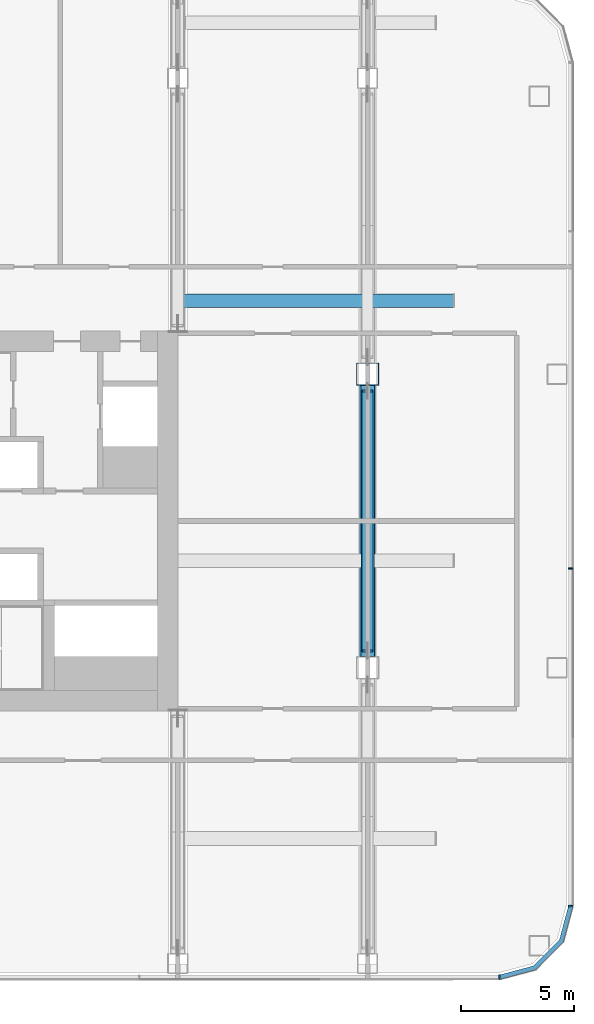
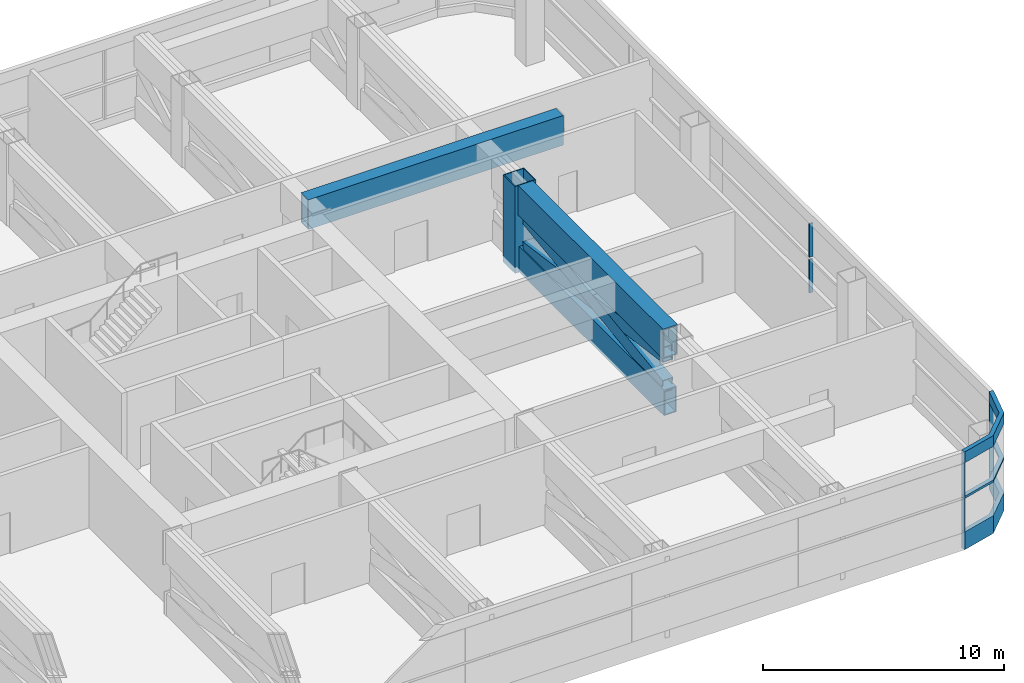
# One storey, part 11 of 30: 14 members, 1 beam, 3 elements without a shape of their own.
"""IFC4 building model written with IfcOpenShell, lengths in metres."""

from ifc_helpers import new_model, si_unit, direction, frame, origin, origin_2d, place, context, subcontext, project, spatial, polyline, rectangle, hollow_rectangle, outline, extrude, material, layer, layer_set, material_profile, profile_set, type_object, element, aggregate, save


model = new_model("IFC4")

# Units and contexts
model_context = context("Model", 3, precision=1e-05, world=origin(), true_north=direction((0.0, 1.0)))
body_context = subcontext(model_context, "Body", "Model", "MODEL_VIEW")
ifc_project = project(units=[si_unit("LENGTHUNIT", "METRE"), si_unit("AREAUNIT", "SQUARE_METRE"), si_unit("VOLUMEUNIT", "CUBIC_METRE"), si_unit("PLANEANGLEUNIT", "RADIAN"), si_unit("MASSUNIT", "GRAM", prefix="KILO")], contexts=[model_context])

# Site, building, storey
site_placement = place(None, origin())
site = spatial("IfcSite", under=ifc_project, at=site_placement, CompositionType="ELEMENT")
building_placement = place(site_placement, origin())
building = spatial("IfcBuilding", under=site, at=building_placement, Name="Hakoniwa Tower and Hamabe Station Hall", CompositionType="ELEMENT")
storey_placement = place(building_placement, frame((0.0, 0.0, 64.60009765625)))
storey = spatial("IfcBuildingStorey", under=building, at=storey_placement, Name="L18", CompositionType="ELEMENT", Elevation=64.60009765625)

# Curtain wall, members
ifc_material_1 = material(Name="Dark low-e laminated glass", Category="glass")
ifc_layer = layer(ifc_material_1, 0.199951171875)
ifc_layer_set = layer_set([ifc_layer], Name="CW-6 PLANT LOUVRE")
curtain_wall_type = type_object("IfcCurtainWallType", Name="CW-6 PLANT LOUVRE", PredefinedType="NOTDEFINED", material=ifc_layer_set)
curtain_wall_1_placement = place(storey_placement, origin())
curtain_wall_1 = element("IfcCurtainWall", 1, at=curtain_wall_1_placement, inside=storey, type_object=curtain_wall_type, Name="CW-6 curtain wall", PredefinedType="NOTDEFINED")
ifc_material_2 = material(Name="Aluminium 6063-T5 black anodised", Category="aluminium")
ifc_material_profile_1 = material_profile(ifc_material_2, rectangle(XDim=0.199951171875, YDim=0.550048828125, at=origin_2d()), Name="CW HEAD BAND 550X200")
ifc_profile_set_1 = profile_set([ifc_material_profile_1], Name="Aluminium 6063-T5 black anodised")
member_type_1 = type_object("IfcMemberType", Name="CW HEAD BAND 550X200", PredefinedType="USERDEFINED", material=ifc_profile_set_1)
member_1_placement = place(storey_placement, frame((0.0, 0.0, 3.849853515625)))
member_1 = element("IfcMember", 2, at=member_1_placement, type_object=member_type_1, Name="CW-6 transom", ObjectType="TRANSOM", PredefinedType="USERDEFINED", context=body_context, shape_type="SweptSolid", body=[
    extrude(outline(polyline([(47.839599609375, -20.300048828125), (49.455322265625, -19.866943359375), (50.6669921875, -18.6552734375), (51.10009765625, -17.03955078125), (50.90673828125, -16.98779296875), (50.48779296875, -18.5517578125), (49.351806640625, -19.687744140625), (47.787841796875, -20.10693359375), (47.839599609375, -20.300048828125)])), origin(), (0.0, 0.0, 1.0), 0.550048828125),
])
ifc_material_3 = material(Name="Aluminium 6063-T5 black anodised", Category="aluminium")
ifc_material_profile_2 = material_profile(ifc_material_3, rectangle(XDim=0.199951171875, YDim=0.1201171875, at=origin_2d()), Name="CW MID TRANSOM 120X200")
ifc_profile_set_2 = profile_set([ifc_material_profile_2], Name="Aluminium 6063-T5 black anodised")
member_type_2 = type_object("IfcMemberType", Name="CW MID TRANSOM 120X200", PredefinedType="USERDEFINED", material=ifc_profile_set_2)
member_2_placement = place(storey_placement, frame((0.0, 0.0, 2.039794921875)))
member_2 = element("IfcMember", 3, at=member_2_placement, type_object=member_type_2, Name="CW-6 transom", ObjectType="TRANSOM", PredefinedType="USERDEFINED", context=body_context, shape_type="SweptSolid", body=[
    extrude(outline(polyline([(47.839599609375, -20.300048828125), (49.455322265625, -19.866943359375), (50.6669921875, -18.6552734375), (51.10009765625, -17.03955078125), (50.90673828125, -16.98779296875), (50.48779296875, -18.5517578125), (49.351806640625, -19.687744140625), (47.787841796875, -20.10693359375), (47.839599609375, -20.300048828125)])), origin(), (0.0, 0.0, 1.0), 0.1201171875),
])
ifc_material_4 = material(Name="Aluminium 6063-T5 black anodised", Category="aluminium")
ifc_material_profile_3 = material_profile(ifc_material_4, rectangle(XDim=0.199951171875, YDim=0.89990234375, at=origin_2d()), Name="CW SLAB-EDGE BAND 900X200")
ifc_profile_set_3 = profile_set([ifc_material_profile_3], Name="Aluminium 6063-T5 black anodised")
member_type_3 = type_object("IfcMemberType", Name="CW SLAB-EDGE BAND 900X200", PredefinedType="USERDEFINED", material=ifc_profile_set_3)
member_3_placement = place(storey_placement, frame((0.0, 0.0, -0.550048828125)))
member_3 = element("IfcMember", 4, at=member_3_placement, type_object=member_type_3, Name="CW-6 transom", ObjectType="TRANSOM", PredefinedType="USERDEFINED", context=body_context, shape_type="SweptSolid", body=[
    extrude(outline(polyline([(47.839599609375, -20.300048828125), (49.455322265625, -19.866943359375), (50.6669921875, -18.6552734375), (51.10009765625, -17.03955078125), (50.90673828125, -16.98779296875), (50.48779296875, -18.5517578125), (49.351806640625, -19.687744140625), (47.787841796875, -20.10693359375), (47.839599609375, -20.300048828125)])), origin(), (0.0, 0.0, 1.0), 0.89990234375),
])
aggregate(curtain_wall_1, [member_3, member_2, member_1])

curtain_wall_2_placement = place(storey_placement, origin())
curtain_wall_2 = element("IfcCurtainWall", 5, at=curtain_wall_2_placement, inside=storey, type_object=curtain_wall_type, Name="CW-6 curtain wall", PredefinedType="NOTDEFINED")
ifc_material_5 = material(Name="Aluminium 6063-T5 black anodised", Category="aluminium")
ifc_material_profile_4 = material_profile(ifc_material_5, rectangle(XDim=0.06005859375, YDim=0.179931640625, at=origin_2d()), Name="CW-1 MULLION 60X180")
ifc_profile_set_4 = profile_set([ifc_material_profile_4], Name="Aluminium 6063-T5 black anodised")
member_type_4 = type_object("IfcMemberType", Name="CW-1 MULLION 60X180", PredefinedType="MULLION", material=ifc_profile_set_4)
member_4_placement = place(storey_placement, frame((50.98193359375, -17.03955078125, 0.349853515625), z_axis=(0.0, 0.0, 1.0), x_axis=(0.0, 1.0, 0.0)))
member_4 = element("IfcMember", 6, at=member_4_placement, type_object=member_type_4, Name="CW-6 mullion", PredefinedType="MULLION", context=body_context, shape_type="SweptSolid", body=[
    extrude(rectangle(XDim=0.06005859375, YDim=0.179931640625, at=origin_2d()), origin(), (0.0, 0.0, 1.0), 1.68994140625),
])
member_5_placement = place(storey_placement, frame((50.98193359375, -17.03955078125, 2.159912109375), z_axis=(0.0, 0.0, 1.0), x_axis=(0.0, 1.0, 0.0)))
member_5 = element("IfcMember", 7, at=member_5_placement, type_object=member_type_4, Name="CW-6 mullion", PredefinedType="MULLION", context=body_context, shape_type="SweptSolid", body=[
    extrude(rectangle(XDim=0.06005859375, YDim=0.179931640625, at=origin_2d()), origin(), (0.0, 0.0, 1.0), 1.68994140625),
])
member_6_placement = place(storey_placement, frame((50.98193359375, -2.10791015625, 0.349853515625), z_axis=(0.0, 0.0, 1.0), x_axis=(0.0, 1.0, 0.0)))
member_6 = element("IfcMember", 8, at=member_6_placement, type_object=member_type_4, Name="CW-6 mullion", PredefinedType="MULLION", context=body_context, shape_type="SweptSolid", body=[
    extrude(rectangle(XDim=0.06005859375, YDim=0.179931640625, at=origin_2d()), origin(), (0.0, 0.0, 1.0), 1.68994140625),
])
member_7_placement = place(storey_placement, frame((50.98193359375, -2.10791015625, 2.159912109375), z_axis=(0.0, 0.0, 1.0), x_axis=(0.0, 1.0, 0.0)))
member_7 = element("IfcMember", 9, at=member_7_placement, type_object=member_type_4, Name="CW-6 mullion", PredefinedType="MULLION", context=body_context, shape_type="SweptSolid", body=[
    extrude(rectangle(XDim=0.06005859375, YDim=0.179931640625, at=origin_2d()), origin(), (0.0, 0.0, 1.0), 1.68994140625),
])
aggregate(curtain_wall_2, [member_4, member_5, member_6, member_7])

curtain_wall_3_placement = place(storey_placement, origin())
curtain_wall_3 = element("IfcCurtainWall", 10, at=curtain_wall_3_placement, inside=storey, type_object=curtain_wall_type, Name="CW-6 curtain wall", PredefinedType="NOTDEFINED")
member_8_placement = place(storey_placement, frame((47.839599609375, -20.181884765625, 0.349853515625), z_axis=(0.0, 0.0, 1.0), x_axis=(1.0, 0.0, 0.0)))
member_8 = element("IfcMember", 11, at=member_8_placement, type_object=member_type_4, Name="CW-6 mullion", PredefinedType="MULLION", context=body_context, shape_type="SweptSolid", body=[
    extrude(rectangle(XDim=0.06005859375, YDim=0.179931640625, at=origin_2d()), origin(), (0.0, 0.0, 1.0), 1.68994140625),
])
member_9_placement = place(storey_placement, frame((47.839599609375, -20.181884765625, 2.159912109375), z_axis=(0.0, 0.0, 1.0), x_axis=(1.0, 0.0, 0.0)))
member_9 = element("IfcMember", 12, at=member_9_placement, type_object=member_type_4, Name="CW-6 mullion", PredefinedType="MULLION", context=body_context, shape_type="SweptSolid", body=[
    extrude(rectangle(XDim=0.06005859375, YDim=0.179931640625, at=origin_2d()), origin(), (0.0, 0.0, 1.0), 1.68994140625),
])
aggregate(curtain_wall_3, [member_8, member_9])

# Beam
ifc_material_6 = material(Name="Steel SN490C", Category="steel")
ifc_material_profile_5 = material_profile(ifc_material_6, hollow_rectangle(XDim=0.60009765625, YDim=1.5, WallThickness=0.054931640625, at=origin_2d()), Name="BX-1500x600x55")
ifc_profile_set_5 = profile_set([ifc_material_profile_5], Name="Steel SN490C")
beam_type = type_object("IfcBeamType", Name="TRANSFER GIRDER BX-1500x600x55", PredefinedType="BEAM", material=ifc_profile_set_5)
beam_placement = place(storey_placement, frame((33.60009765625, 9.75, 3.349853515625), z_axis=(1.0, 0.0, 0.0), x_axis=(0.0, 1.0, 0.0)))
element("IfcBeam", 13, at=beam_placement, inside=storey, type_object=beam_type, Name="Truss L18-XG6", PredefinedType="BEAM", context=body_context, shape_type="SweptSolid", body=[
    extrude(hollow_rectangle(XDim=0.60009765625, YDim=1.5, WallThickness=0.054931640625, at=origin_2d()), origin(), (0.0, 0.0, 1.0), 12.199951171875),
])

# Members
ifc_material_7 = material(Name="Steel SN490C", Category="steel")
ifc_material_profile_6 = material_profile(ifc_material_7, hollow_rectangle(XDim=0.60009765625, YDim=1.300048828125, WallThickness=0.050048828125, at=origin_2d()), Name="BX-1300x600x50")
ifc_profile_set_6 = profile_set([ifc_material_profile_6], Name="Steel SN490C")
member_type_5 = type_object("IfcMemberType", Name="TRUSS CHORD BX-1300x600x50", PredefinedType="CHORD", material=ifc_profile_set_6)
member_10_placement = place(storey_placement, frame((42.0, -6.0, 0.349853515625), z_axis=(0.0, 1.0, 0.0), x_axis=(-1.0, 0.0, 0.0)))
element("IfcMember", 14, at=member_10_placement, inside=storey, type_object=member_type_5, Name="Truss T1-21-BC02", PredefinedType="CHORD", context=body_context, shape_type="SweptSolid", body=[
    extrude(hollow_rectangle(XDim=0.60009765625, YDim=1.300048828125, WallThickness=0.050048828125, at=origin_2d()), origin(), (0.0, 0.0, 1.0), 12.0),
])
ifc_material_8 = material(Name="Steel SN490C", Category="steel")
ifc_material_profile_7 = material_profile(ifc_material_8, hollow_rectangle(XDim=0.699951171875, YDim=1.5, WallThickness=0.054931640625, at=origin_2d()), Name="BX-1500x700x55")
ifc_profile_set_7 = profile_set([ifc_material_profile_7], Name="Steel SN490C")
member_type_6 = type_object("IfcMemberType", Name="TRUSS CHORD BX-1500x700x55", PredefinedType="CHORD", material=ifc_profile_set_7)
member_11_placement = place(storey_placement, frame((42.0, -6.0, 3.349853515625), z_axis=(0.0, 1.0, 0.0), x_axis=(-1.0, 0.0, 0.0)))
element("IfcMember", 15, at=member_11_placement, inside=storey, type_object=member_type_6, Name="Truss T1-21-TC02", PredefinedType="CHORD", context=body_context, shape_type="SweptSolid", body=[
    extrude(hollow_rectangle(XDim=0.699951171875, YDim=1.5, WallThickness=0.054931640625, at=origin_2d()), origin(), (0.0, 0.0, 1.0), 12.0),
])
ifc_material_9 = material(Name="Steel SN490C", Category="steel")
ifc_material_profile_8 = material_profile(ifc_material_9, hollow_rectangle(XDim=0.5, YDim=0.699951171875, WallThickness=0.031982421875, at=origin_2d()), Name="BX-700x500x32")
ifc_profile_set_8 = profile_set([ifc_material_profile_8], Name="Steel SN490C")
member_type_7 = type_object("IfcMemberType", Name="TRUSS DIAGONAL BX-700x500x32", PredefinedType="BRACE", material=ifc_profile_set_8)
for number, where, z_axis, x_axis, name in (
    (16, (42.0, -5.75, 1.0), (0.0, 0.990461368126, 0.137790704512), (-1.0, 0.0, 0.0), "Truss T1-21-D02a"),
    (17, (42.0, -5.75, 2.599853515625), (0.0, 0.990461368126, -0.137790704512), (-1.0, 0.0, 0.0), "Truss T1-21-D02b"),
):
    element("IfcMember", number, at=place(storey_placement, frame(where, z_axis=z_axis, x_axis=x_axis)), inside=storey, type_object=member_type_7, Name=name, PredefinedType="BRACE", context=body_context, shape_type="SweptSolid", body=[
        extrude(hollow_rectangle(XDim=0.5, YDim=0.699951171875, WallThickness=0.031982421875, at=origin_2d()), origin(), (0.0, 0.0, 1.0), 11.61083984375),
    ])
ifc_material_10 = material(Name="Steel SN490C", Category="steel")
ifc_material_profile_9 = material_profile(ifc_material_10, hollow_rectangle(XDim=1.0, YDim=1.0, WallThickness=0.0400390625, at=origin_2d()), Name="BX-1000x1000x40")
ifc_profile_set_9 = profile_set([ifc_material_profile_9], Name="Steel SN490C")
member_type_8 = type_object("IfcMemberType", Name="TRUSS POST BX-1000x1000x40", PredefinedType="POST", material=ifc_profile_set_9)
member_12_placement = place(storey_placement, frame((42.0, 6.5, -0.300048828125), z_axis=(0.0, 0.0, 1.0), x_axis=(1.0, 0.0, 0.0)))
element("IfcMember", 18, at=member_12_placement, inside=storey, type_object=member_type_8, Name="Truss T1-21-P03", PredefinedType="POST", context=body_context, shape_type="SweptSolid", body=[
    extrude(hollow_rectangle(XDim=1.0, YDim=1.0, WallThickness=0.0400390625, at=origin_2d()), origin(), (0.0, 0.0, 1.0), 4.39990234375),
])

save(model, "model.ifc")
